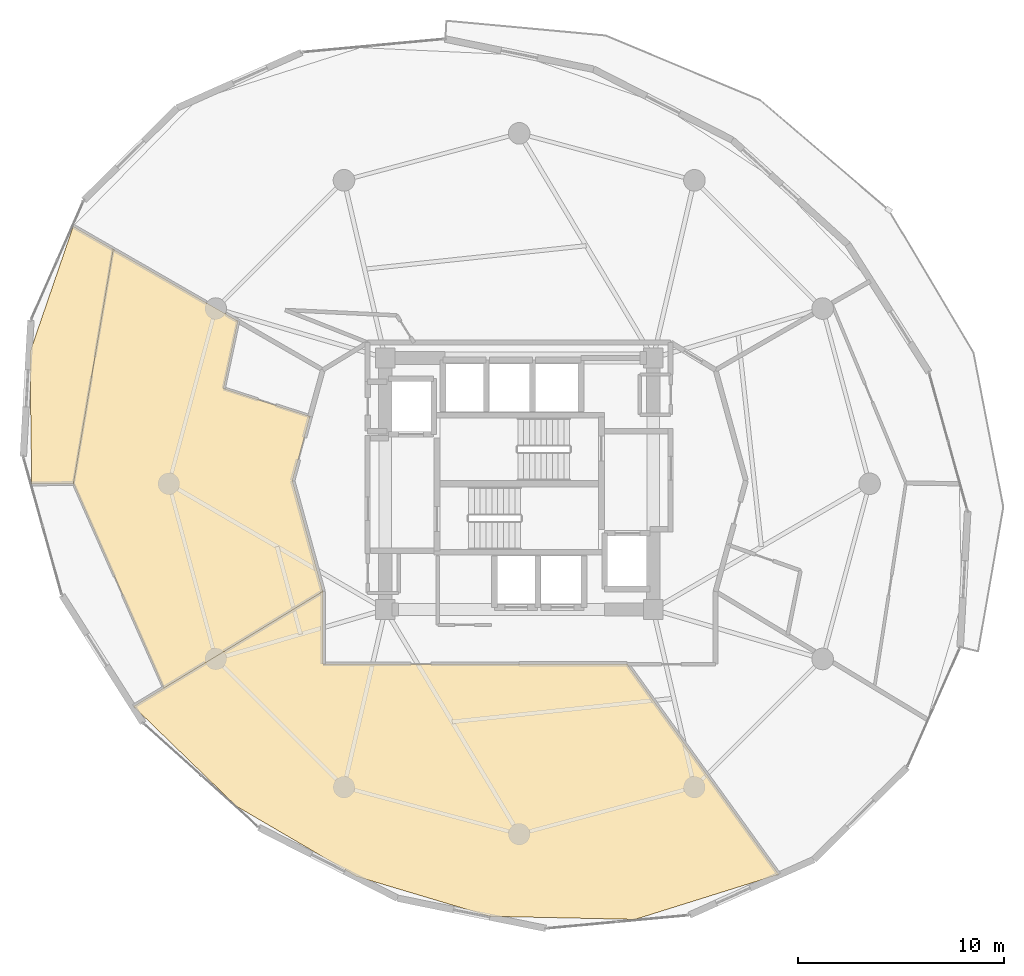
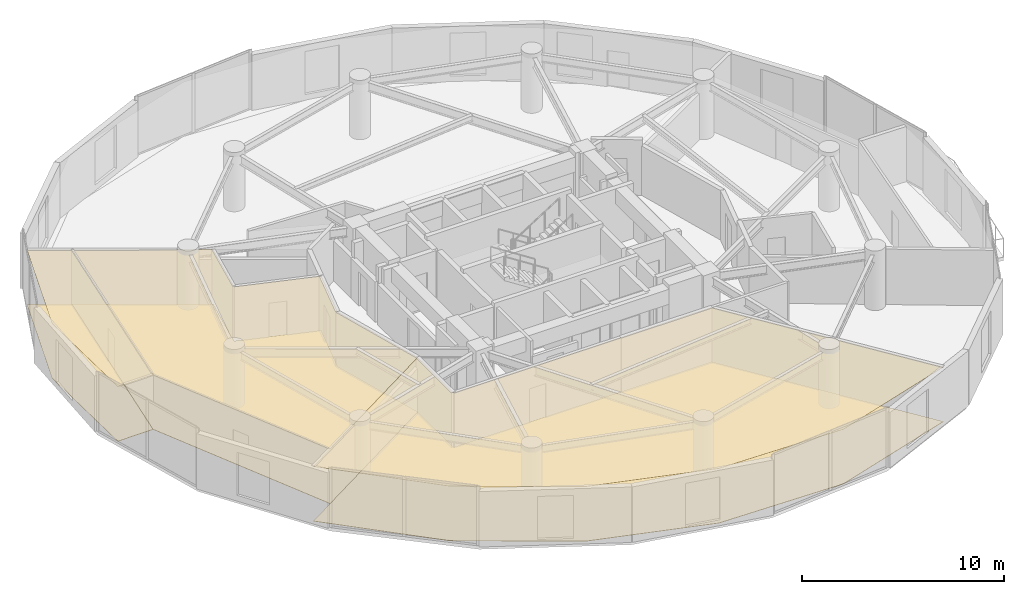
# One storey, part 23 of 25: 6 coverings.
"""IFC4 building model written with IfcOpenShell, lengths in metres."""

from ifc_helpers import new_model, si_unit, direction, frame, origin, place, context, subcontext, project, spatial, polyline, outline, extrude, material, layer, layer_set, type_object, element, save


model = new_model("IFC4")

# Units and contexts
model_context = context("Model", 3, precision=1e-05, world=origin(), true_north=direction((0.0, 1.0)))
body_context = subcontext(model_context, "Body", "Model", "MODEL_VIEW")
ifc_project = project(units=[si_unit("LENGTHUNIT", "METRE"), si_unit("AREAUNIT", "SQUARE_METRE"), si_unit("VOLUMEUNIT", "CUBIC_METRE"), si_unit("PLANEANGLEUNIT", "RADIAN"), si_unit("MASSUNIT", "GRAM", prefix="KILO")], contexts=[model_context])

# Site, building, storey
site_placement = place(None, origin())
site = spatial("IfcSite", under=ifc_project, at=site_placement, CompositionType="ELEMENT")
building_placement = place(site_placement, origin())
building = spatial("IfcBuilding", under=site, at=building_placement, Name="Solvirekh Grand Hotel", CompositionType="ELEMENT")
storey_placement = place(building_placement, frame((0.0, 0.0, 117.0)))
storey = spatial("IfcBuildingStorey", under=building, at=storey_placement, Name="L29", CompositionType="ELEMENT", Elevation=117.0)

# Coverings
ifc_material_1 = material(Name="Acoustic Mineral Ceiling Tile")
ifc_layer_1 = layer(ifc_material_1, 0.02490234375)
ifc_layer_set_1 = layer_set([ifc_layer_1], Name="Acoustic Mineral Ceiling Tile")
covering_type_1 = type_object("IfcCoveringType", Name="Cov_Ceiling_Acoustic", PredefinedType="CEILING", material=ifc_layer_set_1)
covering_1_placement = place(storey_placement, frame((0.0, 0.0, 3.300048828125)))
element("IfcCovering", 1, at=covering_1_placement, inside=storey, type_object=covering_type_1, Name="L29 Executive Suite 3102 Living Room acoustic ceiling", PredefinedType="CEILING", context=body_context, shape_type="SweptSolid", body=[
    extrude(outline(polyline([(-14.339111328125, 4.6201171875), (-13.64306640625, 7.89306640625), (-19.697998046875, 11.3759765625), (-21.625, 0.02392578125), (-17.240966796875, -9.909912109375), (-9.52587890625, -5.22509765625), (-11.0, 0.14990234375), (-10.14501953125, 3.26806640625), (-14.339111328125, 4.6201171875)])), origin(), (0.0, 0.0, 1.0), 0.01806640625),
])
covering_2_placement = place(storey_placement, frame((0.0, 0.0, 3.300048828125)))
element("IfcCovering", 2, at=covering_2_placement, inside=storey, type_object=covering_type_1, Name="L29 Executive Suite 3102 Master Bedroom acoustic ceiling", PredefinedType="CEILING", context=body_context, shape_type="SweptSolid", body=[
    extrude(outline(polyline([(-21.635986328125, 12.490966796875), (-23.740966796875, 6.361083984375), (-23.64892578125, 0.0), (-21.625, 0.02392578125), (-19.697998046875, 11.3759765625), (-21.635986328125, 12.490966796875)])), origin(), (0.0, 0.0, 1.0), 0.01806640625),
])
covering_3_placement = place(storey_placement, frame((0.0, 0.0, 3.300048828125)))
element("IfcCovering", 3, at=covering_3_placement, inside=storey, type_object=covering_type_1, Name="L29 L29 Chamber Music Conservatory acoustic ceiling", PredefinedType="CEILING", context=body_context, shape_type="SweptSolid", body=[
    extrude(outline(polyline([(-18.7099609375, -10.802001953125), (-13.72802734375, -15.636962890625), (-7.910888671875, -19.04296875), (-1.408935546875, -20.986083984375), (5.615966796875, -21.135986328125), (12.592041015625, -18.951904296875), (5.239013671875, -8.75), (0.0, -8.75), (-9.52587890625, -8.75), (-9.52587890625, -5.22509765625), (-18.7099609375, -10.802001953125)])), origin(), (0.0, 0.0, 1.0), 0.01806640625),
])
ifc_material_2 = material(Name="Porcelain Stoneware Flooring", Category="masonry")
ifc_layer_2 = layer(ifc_material_2, 0.030029296875)
ifc_layer_set_2 = layer_set([ifc_layer_2], Name="Porcelain Stoneware Flooring")
covering_type_2 = type_object("IfcCoveringType", Name="Cov_Floor_Stone", PredefinedType="FLOORING", material=ifc_layer_set_2)
covering_4_placement = place(storey_placement, origin())
element("IfcCovering", 4, at=covering_4_placement, inside=storey, type_object=covering_type_2, Name="L29 Executive Suite 3102 Living Room polished granite flooring", PredefinedType="FLOORING", context=body_context, shape_type="SweptSolid", body=[
    extrude(outline(polyline([(-14.339111328125, 4.6201171875), (-13.64306640625, 7.89306640625), (-19.697998046875, 11.3759765625), (-21.625, 0.02392578125), (-17.240966796875, -9.909912109375), (-9.52587890625, -5.22509765625), (-11.0, 0.14990234375), (-10.14501953125, 3.26806640625), (-14.339111328125, 4.6201171875)])), origin(), (0.0, 0.0, 1.0), 0.02001953125),
])
covering_5_placement = place(storey_placement, origin())
element("IfcCovering", 5, at=covering_5_placement, inside=storey, type_object=covering_type_2, Name="L29 Executive Suite 3102 Master Bedroom polished granite flooring", PredefinedType="FLOORING", context=body_context, shape_type="SweptSolid", body=[
    extrude(outline(polyline([(-21.635986328125, 12.490966796875), (-23.740966796875, 6.361083984375), (-23.64892578125, 0.0), (-21.625, 0.02392578125), (-19.697998046875, 11.3759765625), (-21.635986328125, 12.490966796875)])), origin(), (0.0, 0.0, 1.0), 0.02001953125),
])
covering_6_placement = place(storey_placement, origin())
element("IfcCovering", 6, at=covering_6_placement, inside=storey, type_object=covering_type_2, Name="L29 L29 Chamber Music Conservatory polished granite flooring", PredefinedType="FLOORING", context=body_context, shape_type="SweptSolid", body=[
    extrude(outline(polyline([(-18.7099609375, -10.802001953125), (-13.72802734375, -15.636962890625), (-7.910888671875, -19.04296875), (-1.408935546875, -20.986083984375), (5.615966796875, -21.135986328125), (12.592041015625, -18.951904296875), (5.239013671875, -8.75), (0.0, -8.75), (-9.52587890625, -8.75), (-9.52587890625, -5.22509765625), (-18.7099609375, -10.802001953125)])), origin(), (0.0, 0.0, 1.0), 0.02001953125),
])

save(model, "model.ifc")
